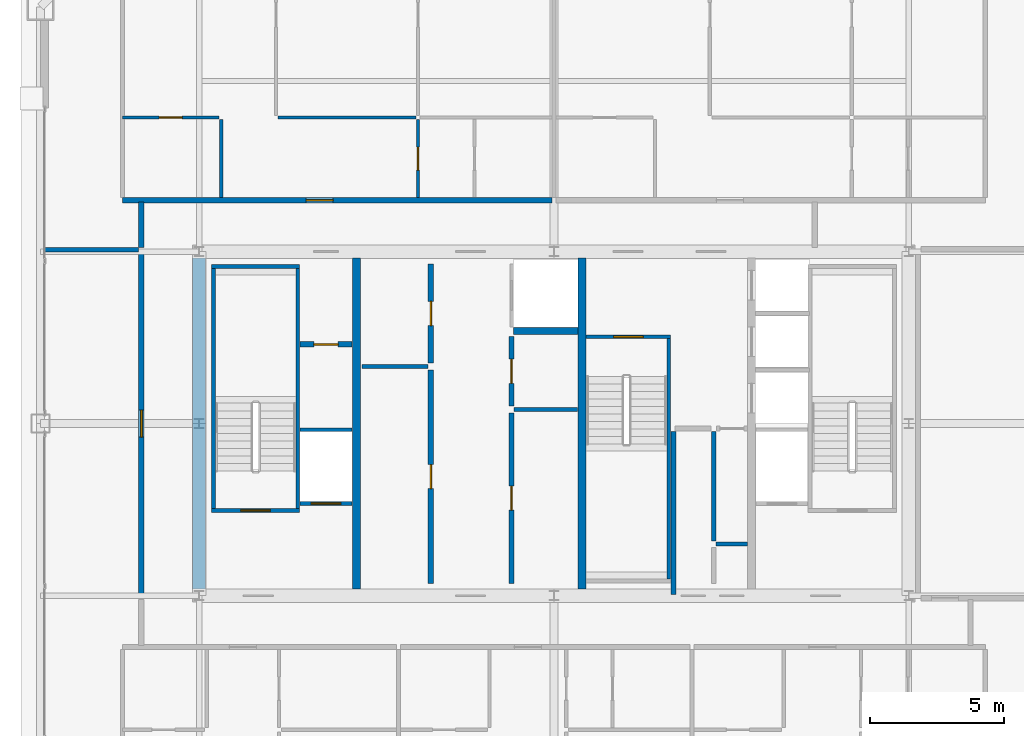
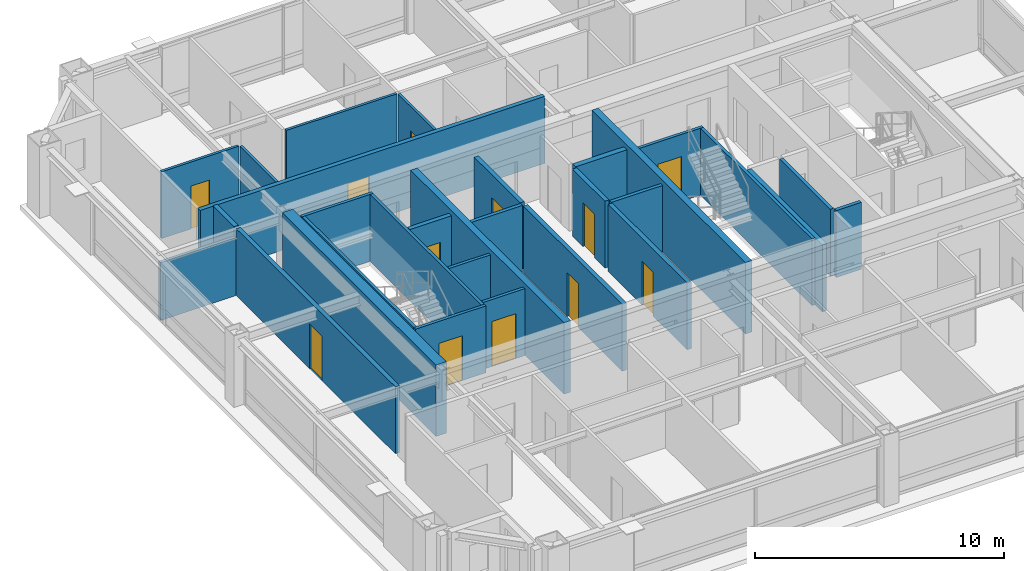
# One storey, part 31 of 35: 30 walls, 12 doors, 12 openings.
"""IFC4 building model written with IfcOpenShell, lengths in metres."""

import ifcopenshell
import ifcopenshell.guid

model = None  # the IFC model being written
_history = None  # IfcOwnerHistory: only IFC2X3 demands one
_inside = {}  # id of a spatial element -> (the spatial element, [elements in it])
_under = {}  # id of a project, library or spatial element -> (it, [spatial elements below it])
_declared = {}  # id of a project -> (the project, [libraries it declares])
_typed = {}  # id of a type object -> (the type object, [elements of that type])
_made_of = {}  # id of a material, layer set ... -> (it, [elements and type objects made of it])


def new_model(schema):
    """Start an empty IFC model of exactly this schema.

    Asked for "IFC4X3", IfcOpenShell would pick the latest addendum, in which some entities
    have other attributes; the version numbers below select the first issue.
    IFC2X3 requires an IfcOwnerHistory on every rooted entity: one is made here for all.
    """
    global model, _history
    if schema == "IFC4X3":
        model = ifcopenshell.file(schema_version=(4, 3, 0, 0))
    else:
        model = ifcopenshell.file(schema=schema)
    _inside.clear()
    _under.clear()
    _declared.clear()
    _typed.clear()
    _made_of.clear()
    _history = None
    if model.schema == "IFC2X3":
        org = make("IfcOrganization", Name="unknown")
        user = make(
            "IfcPersonAndOrganization",
            ThePerson=make("IfcPerson", FamilyName="unknown"),
            TheOrganization=org,
        )
        app = make(
            "IfcApplication",
            ApplicationDeveloper=org,
            Version="unknown",
            ApplicationFullName="unknown",
            ApplicationIdentifier="unknown",
        )
        _history = make(
            "IfcOwnerHistory",
            OwningUser=user,
            OwningApplication=app,
            ChangeAction="ADDED",
            CreationDate=0,
        )
    return model


def make(cls, **values):
    """One entity of the class cls with the attributes given. An attribute that is None is left unset."""
    return model.create_entity(
        cls, **{name: value for name, value in values.items() if value is not None}
    )


def rooted(cls, **values):
    """An entity with a GlobalId (a new one), such as an element, a storey or a relation."""
    return make(cls, GlobalId=ifcopenshell.guid.new(), OwnerHistory=_history, **values)


def si_unit(unit_type, name, prefix=None):
    """IfcSIUnit, for example si_unit("LENGTHUNIT", "METRE", prefix="MILLI")."""
    return make("IfcSIUnit", UnitType=unit_type, Prefix=prefix, Name=name)


def assignment(units):
    """IfcUnitAssignment: the units of a project."""
    return None if units is None else make("IfcUnitAssignment", Units=units)


def point(xyz):
    """IfcCartesianPoint."""
    return None if xyz is None else make("IfcCartesianPoint", Coordinates=xyz)


def direction(xyz):
    """IfcDirection."""
    return None if xyz is None else make("IfcDirection", DirectionRatios=xyz)


def frame(location, z_axis=None, x_axis=None):
    """IfcAxis2Placement3D, a coordinate frame: its origin and axes. An axis left out is left unset."""
    return make(
        "IfcAxis2Placement3D",
        Location=point(location),
        Axis=direction(z_axis),
        RefDirection=direction(x_axis),
    )


def frame_2d(location, x_axis=None):
    """IfcAxis2Placement2D, a coordinate frame in the plane: its origin and x axis."""
    return make(
        "IfcAxis2Placement2D", Location=point(location), RefDirection=direction(x_axis)
    )


def origin():
    """The frame at (0, 0, 0) with its axes left unset."""
    return frame((0.0, 0.0, 0.0))


def place(relative_to, where):
    """IfcLocalPlacement: puts the frame where relative to a parent placement (None: the world)."""
    return make(
        "IfcLocalPlacement", PlacementRelTo=relative_to, RelativePlacement=where
    )


def context(
    kind, dimensions, precision=None, world=None, true_north=None, identifier=None
):
    """IfcGeometricRepresentationContext, for example the 3D "Model" context."""
    return make(
        "IfcGeometricRepresentationContext",
        ContextIdentifier=identifier,
        ContextType=kind,
        CoordinateSpaceDimension=dimensions,
        Precision=precision,
        WorldCoordinateSystem=world,
        TrueNorth=true_north,
    )


def subcontext(parent, identifier, kind, view, scale=None):
    """IfcGeometricRepresentationSubContext, for example "Body" below "Model"."""
    return make(
        "IfcGeometricRepresentationSubContext",
        ContextIdentifier=identifier,
        ContextType=kind,
        ParentContext=parent,
        TargetScale=scale,
        TargetView=view,
    )


def project(units=None, contexts=None):
    """IfcProject with its units and contexts."""
    return rooted(
        "IfcProject",
        Name="project",
        RepresentationContexts=contexts,
        UnitsInContext=assignment(units),
    )


def spatial(cls, under=None, at=None, **own):
    """A site, building, storey or space (cls), placed at a placement, below another one or the project."""
    s = rooted(cls, ObjectPlacement=at, **own)
    if under is not None:
        _under.setdefault(under.id(), (under, []))[1].append(s)
    return s


def profile(cls, at=None, kind="AREA", **sizes):
    """A parametric profile (cls). Its sizes go by their IFC names, for example OverallWidth=200.0."""
    return make(cls, ProfileType=kind, Position=at, **sizes)


def rectangle(**sizes):
    """IfcRectangleProfileDef."""
    return profile("IfcRectangleProfileDef", **sizes)


def extrude(swept, where, along, depth):
    """IfcExtrudedAreaSolid: the profile swept, set in the frame where, extruded along a direction by depth."""
    return make(
        "IfcExtrudedAreaSolid",
        SweptArea=swept,
        Position=where,
        ExtrudedDirection=direction(along),
        Depth=depth,
    )


def shape(context_of_items, identifier, shape_type, items):
    """IfcShapeRepresentation: the items that make up one representation, for example the "Body"."""
    return make(
        "IfcShapeRepresentation",
        ContextOfItems=context_of_items,
        RepresentationIdentifier=identifier,
        RepresentationType=shape_type,
        Items=items,
    )


def source(mapping_origin, context_of_items, identifier, shape_type, items):
    """IfcRepresentationMap: a shape defined once, which mapped items show again and again."""
    return make(
        "IfcRepresentationMap",
        MappingOrigin=mapping_origin,
        MappedRepresentation=shape(context_of_items, identifier, shape_type, items),
    )


def transform(
    local_origin,
    x_axis=None,
    y_axis=None,
    z_axis=None,
    scale=None,
    scale2=None,
    scale3=None,
    uniform=True,
):
    """IfcCartesianTransformationOperator3D, or its non-uniform kind. x_axis, y_axis, z_axis: its Axis1, 2, 3."""
    if uniform:
        return make(
            "IfcCartesianTransformationOperator3D",
            Axis1=direction(x_axis),
            Axis2=direction(y_axis),
            LocalOrigin=point(local_origin),
            Scale=scale,
            Axis3=direction(z_axis),
        )
    return make(
        "IfcCartesianTransformationOperator3DnonUniform",
        Axis1=direction(x_axis),
        Axis2=direction(y_axis),
        LocalOrigin=point(local_origin),
        Scale=scale,
        Axis3=direction(z_axis),
        Scale2=scale2,
        Scale3=scale3,
    )


def mapped(mapping_source, mapping_target):
    """IfcMappedItem: shows the shape of a source again, moved by a transform."""
    return make(
        "IfcMappedItem", MappingSource=mapping_source, MappingTarget=mapping_target
    )


def material(Name=None, Category=None):
    """IfcMaterial."""
    return make("IfcMaterial", Name=Name, Category=Category)


def layer(
    of_material, thickness, ventilated=None, Name=None, Category=None, Priority=None
):
    """IfcMaterialLayer: one layer of a wall or slab, of a material (None: an air gap)."""
    return make(
        "IfcMaterialLayer",
        Material=of_material,
        LayerThickness=thickness,
        IsVentilated=ventilated,
        Name=Name,
        Category=Category,
        Priority=Priority,
    )


def layer_set(layers, Name=None):
    """IfcMaterialLayerSet."""
    return make("IfcMaterialLayerSet", MaterialLayers=layers, LayerSetName=Name)


def made_of(thing, what):
    """Note that an element or type object is made of a material, layer set ...; save() writes the relation."""
    if what is not None:
        _made_of.setdefault(what.id(), (what, []))[1].append(thing)
    return thing


def type_object(cls, material=None, **own):
    """A type object (cls), such as IfcWallType, which elements share."""
    return made_of(rooted(cls, **own), material)


def element(
    cls,
    number,
    at=None,
    inside=None,
    cuts=None,
    type_object=None,
    material=None,
    context=None,
    identifier="Body",
    shape_type=None,
    held_by="IfcProductDefinitionShape",
    body=None,
    shapes=None,
    **own,
):
    """One element of the class cls, such as IfcWall. Its Tag is "e" and its number.

    at: its placement. inside: the storey or other place that contains it. cuts: it is an
    opening in that element (IfcRelVoidsElement). A single representation is given by context,
    identifier, shape_type and body (its items); several are given by shapes. held_by: the class
    of the entity that holds the representations. save() writes the other relations.
    """
    e = rooted(cls, Tag="e%d" % number, ObjectPlacement=at, **own)
    if body is not None:
        shapes = [shape(context, identifier, shape_type, body)]
    if shapes is not None:
        e.Representation = make(held_by, Representations=shapes)
    if inside is not None:
        _inside.setdefault(inside.id(), (inside, []))[1].append(e)
    if cuts is not None:
        rooted(
            "IfcRelVoidsElement", RelatingBuildingElement=cuts, RelatedOpeningElement=e
        )
    if type_object is not None:
        _typed.setdefault(type_object.id(), (type_object, []))[1].append(e)
    return made_of(e, material)


def fill(opening, filler):
    """IfcRelFillsElement: the door or window that sits in an opening."""
    return rooted(
        "IfcRelFillsElement",
        RelatingOpeningElement=opening,
        RelatedBuildingElement=filler,
    )


def aggregate(whole, parts):
    """IfcRelAggregates: a whole, such as a stair, and the parts it consists of."""
    return rooted("IfcRelAggregates", RelatingObject=whole, RelatedObjects=parts)


def save(model, path):
    """Write the relations noted so far, then the file.

    IfcRelAggregates (storeys below a building ...), IfcRelContainedInSpatialStructure (elements
    in a storey), IfcRelDefinesByType, IfcRelAssociatesMaterial and IfcRelDeclares: one each for
    every whole, place, type object, material and project.
    """
    for whole, parts in _under.values():
        aggregate(whole, parts)
    for where, things in _inside.values():
        rooted(
            "IfcRelContainedInSpatialStructure",
            RelatedElements=things,
            RelatingStructure=where,
        )
    for kind, things in _typed.values():
        rooted("IfcRelDefinesByType", RelatedObjects=things, RelatingType=kind)
    for what, things in _made_of.values():
        rooted("IfcRelAssociatesMaterial", RelatedObjects=things, RelatingMaterial=what)
    for by, libraries in _declared.values():
        rooted("IfcRelDeclares", RelatingContext=by, RelatedDefinitions=libraries)
    model.write(path)


model = new_model("IFC4")

# Units and contexts
model_context = context("Model", 3, precision=1e-05, world=origin(), true_north=direction((0.0, 1.0)))
body_context = subcontext(model_context, "Body", "Model", "MODEL_VIEW")
ifc_project = project(units=[si_unit("LENGTHUNIT", "METRE"), si_unit("AREAUNIT", "SQUARE_METRE"), si_unit("VOLUMEUNIT", "CUBIC_METRE"), si_unit("PLANEANGLEUNIT", "RADIAN"), si_unit("MASSUNIT", "GRAM", prefix="KILO"), si_unit("THERMODYNAMICTEMPERATUREUNIT", "KELVIN"), si_unit("POWERUNIT", "WATT")], contexts=[model_context])

# Site, building, storey
site_placement = place(None, origin())
site = spatial("IfcSite", under=ifc_project, at=site_placement, CompositionType="ELEMENT")
building_placement = place(site_placement, origin())
building = spatial("IfcBuilding", under=site, at=building_placement, Name="Yuzanri Waterfront Tower", CompositionType="ELEMENT")
storey_placement = place(building_placement, frame((0.0, 0.0, 318.199951171875)))
storey = spatial("IfcBuildingStorey", under=building, at=storey_placement, Name="L85", CompositionType="ELEMENT", Elevation=318.199951171875)

# Wall, opening, door
ifc_material_1 = material(Name="Moisture-Resistant Gypsum Stud Wall", Category="gypsum")
ifc_layer_1 = layer(ifc_material_1, 0.1201171875)
ifc_layer_set_1 = layer_set([ifc_layer_1], Name="Moisture-Resistant Gypsum Stud Wall")
wall_type_1 = type_object("IfcWallType", Name="Bathroom and Kitchen Wet Partition 120", PredefinedType="PARTITIONING", material=ifc_layer_set_1)
wall_1_placement = place(storey_placement, frame((20.93994140625, 37.18994140625, 0.0), z_axis=(0.0, 0.0, 1.0), x_axis=(1.0, 0.0, 0.0)))
wall_1 = element("IfcWall", 1, at=wall_1_placement, inside=storey, type_object=wall_type_1, Name="L85 Partition UW-L85-HN1-SUB-1-N", PredefinedType="PARTITIONING", context=body_context, shape_type="SweptSolid", body=[
    extrude(rectangle(XDim=3.60009765625, YDim=0.1201171875, at=frame_2d((1.800048828125, 0.0))), origin(), (0.0, 0.0, 1.0), 3.280029296875),
])
opening_1_placement = place(wall_1_placement, frame((1.375, 0.0, 0.0)))
opening_1 = element("IfcOpeningElement", 2, at=opening_1_placement, cuts=wall_1, Name="Opening ID-0850", PredefinedType="OPENING", context=body_context, shape_type="SweptSolid", body=[
    extrude(rectangle(XDim=0.85009765625, YDim=2.10009765625, at=frame_2d((0.425048828125, 1.050048828125))), frame((0.0, 0.074951171875, 0.0), z_axis=(0.0, -1.0, 0.0), x_axis=(1.0, 0.0, 0.0)), (0.0, 0.0, 1.0), 0.14990234375),
])
ifc_material_2 = material(Name="Moisture-Resistant Lacquered Timber", Category="wood")
door_type_1 = type_object("IfcDoorType", Name="En-Suite Bathroom and Kitchen Swing Door 850x2100", OperationType="NOTDEFINED", PredefinedType="DOOR", material=ifc_material_2)
shared_shape_1 = source(origin(), body_context, "Body", "SweptSolid", [
    extrude(rectangle(XDim=0.85009765625, YDim=2.10009765625, at=frame_2d((0.425048828125, 1.050048828125))), frame((0.0, 0.02490234375, 0.0), z_axis=(0.0, -1.0, 0.0), x_axis=(1.0, 0.0, 0.0)), (0.0, 0.0, 1.0), 0.050048828125),
])
door_1_placement = place(opening_1_placement, origin())
door_1 = element("IfcDoor", 3, at=door_1_placement, inside=storey, type_object=door_type_1, Name="L85 Suite Interior Room Door", OperationType="SINGLE_SWING_LEFT", OverallHeight=2.10009765625, OverallWidth=0.85009765625, PredefinedType="DOOR", context=body_context, shape_type="MappedRepresentation", body=[
    mapped(shared_shape_1, transform((0.0, 0.0, 0.0), scale=1.0)),
])
fill(opening_1, door_1)

wall_2_placement = place(storey_placement, frame((31.94189453125, 34.2099609375, 0.0), z_axis=(0.0, 0.0, 1.0), x_axis=(0.0, 1.0, 0.0)))
wall_2 = element("IfcWall", 4, at=wall_2_placement, inside=storey, type_object=wall_type_1, Name="L85 Partition UW-L85-HN1-SUB-4-W", PredefinedType="PARTITIONING", context=body_context, shape_type="SweptSolid", body=[
    extrude(rectangle(XDim=2.900146484375, YDim=0.1201171875, at=frame_2d((1.4501953125, 0.0))), origin(), (0.0, 0.0, 1.0), 3.280029296875),
])
opening_2_placement = place(wall_2_placement, frame((1.02490234375, 0.0, 0.0)))
opening_2 = element("IfcOpeningElement", 5, at=opening_2_placement, cuts=wall_2, Name="Opening ID-0850", PredefinedType="OPENING", context=body_context, shape_type="SweptSolid", body=[
    extrude(rectangle(XDim=0.85009765625, YDim=2.10009765625, at=frame_2d((0.425048828125, 1.050048828125))), frame((0.0, 0.074951171875, 0.0), z_axis=(0.0, -1.0, 0.0), x_axis=(1.0, 0.0, 0.0)), (0.0, 0.0, 1.0), 0.14990234375),
])
door_2_placement = place(opening_2_placement, origin())
door_2 = element("IfcDoor", 6, at=door_2_placement, inside=storey, type_object=door_type_1, Name="L85 Suite Interior Room Door", OperationType="SINGLE_SWING_RIGHT", OverallHeight=2.10009765625, OverallWidth=0.85009765625, PredefinedType="DOOR", context=body_context, shape_type="MappedRepresentation", body=[
    mapped(shared_shape_1, transform((0.0, 0.0, 0.0), scale=1.0)),
])
fill(opening_2, door_2)

ifc_material_3 = material(Name="Concrete C40", Category="concrete")
ifc_layer_2 = layer(ifc_material_3, 0.139892578125)
ifc_layer_set_2 = layer_set([ifc_layer_2], Name="Concrete C40")
wall_type_2 = type_object("IfcWallType", Name="Core Stair Liner and Hoistway Shaft Wall 140", PredefinedType="SOLIDWALL", material=ifc_layer_set_2)
wall_3_placement = place(storey_placement, frame((27.56005859375, 22.830078125, 0.0), z_axis=(0.0, 0.0, 1.0), x_axis=(1.0, 0.0, 0.0)))
wall_3 = element("IfcWall", 7, at=wall_3_placement, inside=storey, type_object=wall_type_2, Name="L85 Lift FL-01 Front Shaft Wall", PredefinedType="SOLIDWALL", context=body_context, shape_type="SweptSolid", body=[
    extrude(rectangle(XDim=1.919921875, YDim=0.139892578125, at=frame_2d((0.9599609375, 0.0))), origin(), (0.0, 0.0, 1.0), 3.280029296875),
])
opening_3_placement = place(wall_3_placement, frame((0.409912109375, 0.0, 0.0)))
opening_3 = element("IfcOpeningElement", 8, at=opening_3_placement, cuts=wall_3, Name="Opening LD-FL-01", PredefinedType="OPENING", context=body_context, shape_type="SweptSolid", body=[
    extrude(rectangle(XDim=1.10009765625, YDim=2.199951171875, at=frame_2d((0.550048828125, 1.10009765625))), frame((0.0, 0.0849609375, 0.0), z_axis=(0.0, -1.0, 0.0), x_axis=(1.0, 0.0, 0.0)), (0.0, 0.0, 1.0), 0.169677734375),
])
ifc_material_4 = material(Name="Brushed Bronze and Stainless Steel Cab", Category="steel")
door_type_2 = type_object("IfcDoorType", Name="Center-Parting Bronze Lift Landing Sliding Door 1100x2200", OperationType="NOTDEFINED", PredefinedType="DOOR", material=ifc_material_4)
shared_shape_2 = source(origin(), body_context, "Body", "SweptSolid", [
    extrude(rectangle(XDim=1.10009765625, YDim=2.199951171875, at=frame_2d((0.550048828125, 1.10009765625))), frame((0.0, 0.02490234375, 0.0), z_axis=(0.0, -1.0, 0.0), x_axis=(1.0, 0.0, 0.0)), (0.0, 0.0, 1.0), 0.050048828125),
])
door_3_placement = place(opening_3_placement, origin())
door_3 = element("IfcDoor", 9, at=door_3_placement, inside=storey, type_object=door_type_2, Name="L85 FL-01 Lift Landing Sliding Door", OperationType="SLIDING_TO_LEFT", OverallHeight=2.199951171875, OverallWidth=1.10009765625, PredefinedType="DOOR", context=body_context, shape_type="MappedRepresentation", body=[
    mapped(shared_shape_2, transform((0.0, 0.0, 0.0), scale=1.0)),
])
fill(opening_3, door_3)

wall_4_placement = place(storey_placement, frame((24.260009765625, 22.570068359375, 0.0), z_axis=(0.0, 0.0, 1.0), x_axis=(1.0, 0.0, 0.0)))
wall_4 = element("IfcWall", 10, at=wall_4_placement, inside=storey, type_object=wall_type_2, Name="L85 Shaft Wall STW-L85-ST-01-S", PredefinedType="SOLIDWALL", context=body_context, shape_type="SweptSolid", body=[
    extrude(rectangle(XDim=3.280029296875, YDim=0.139892578125, at=frame_2d((1.64013671875, 0.0))), origin(), (0.0, 0.0, 1.0), 3.280029296875),
])
opening_4_placement = place(wall_4_placement, frame((1.090087890625, 0.0, 0.0)))
opening_4 = element("IfcOpeningElement", 11, at=opening_4_placement, cuts=wall_4, Name="Opening FD-1100", PredefinedType="OPENING", context=body_context, shape_type="SweptSolid", body=[
    extrude(rectangle(XDim=1.10009765625, YDim=2.199951171875, at=frame_2d((0.550048828125, 1.10009765625))), frame((0.0, 0.0849609375, 0.0), z_axis=(0.0, -1.0, 0.0), x_axis=(1.0, 0.0, 0.0)), (0.0, 0.0, 1.0), 0.169677734375),
])
ifc_material_5 = material(Name="Painted Galvanized Fire Steel", Category="steel")
door_type_3 = type_object("IfcDoorType", Name="Smoke-Proof Stair and Lobby Fire Door 1100x2200", OperationType="NOTDEFINED", PredefinedType="DOOR", material=ifc_material_5)
shared_shape_3 = source(origin(), body_context, "Body", "SweptSolid", [
    extrude(rectangle(XDim=1.10009765625, YDim=2.199951171875, at=frame_2d((0.550048828125, 1.10009765625))), frame((0.0, 0.02490234375, 0.0), z_axis=(0.0, -1.0, 0.0), x_axis=(1.0, 0.0, 0.0)), (0.0, 0.0, 1.0), 0.050048828125),
])
door_4_placement = place(opening_4_placement, origin())
door_4 = element("IfcDoor", 12, at=door_4_placement, inside=storey, type_object=door_type_3, Name="L85 Stair ST-01 Fire Door", OperationType="SINGLE_SWING_RIGHT", OverallHeight=2.199951171875, OverallWidth=1.10009765625, PredefinedType="DOOR", context=body_context, shape_type="MappedRepresentation", body=[
    mapped(shared_shape_3, transform((0.0, 0.0, 0.0), scale=1.0)),
])
fill(opening_4, door_4)

wall_5_placement = place(storey_placement, frame((38.199951171875, 29.030029296875, 0.0), z_axis=(0.0, 0.0, 1.0), x_axis=(1.0, 0.0, 0.0)))
wall_5 = element("IfcWall", 13, at=wall_5_placement, inside=storey, type_object=wall_type_2, Name="L85 Shaft Wall STW-L85-ST-03-N", PredefinedType="SOLIDWALL", context=body_context, shape_type="SweptSolid", body=[
    extrude(rectangle(XDim=3.14013671875, YDim=0.139892578125, at=frame_2d((1.570068359375, 0.0))), origin(), (0.0, 0.0, 1.0), 3.280029296875),
])
opening_5_placement = place(wall_5_placement, frame((1.02001953125, 0.0, 0.0)))
opening_5 = element("IfcOpeningElement", 14, at=opening_5_placement, cuts=wall_5, Name="Opening FD-1100", PredefinedType="OPENING", context=body_context, shape_type="SweptSolid", body=[
    extrude(rectangle(XDim=1.10009765625, YDim=2.199951171875, at=frame_2d((0.550048828125, 1.10009765625))), frame((0.0, 0.0849609375, 0.0), z_axis=(0.0, -1.0, 0.0), x_axis=(1.0, 0.0, 0.0)), (0.0, 0.0, 1.0), 0.169677734375),
])
door_5_placement = place(opening_5_placement, origin())
door_5 = element("IfcDoor", 15, at=door_5_placement, inside=storey, type_object=door_type_3, Name="L85 Stair ST-03 Fire Door", OperationType="SINGLE_SWING_RIGHT", OverallHeight=2.199951171875, OverallWidth=1.10009765625, PredefinedType="DOOR", context=body_context, shape_type="MappedRepresentation", body=[
    mapped(shared_shape_3, transform((0.0, 0.0, 0.0), scale=1.0)),
])
fill(opening_5, door_5)

ifc_material_6 = material(Name="Autoclaved Aerated Concrete Blockwork", Category="masonry")
ifc_layer_3 = layer(ifc_material_6, 0.199951171875)
ifc_layer_set_3 = layer_set([ifc_layer_3], Name="Autoclaved Aerated Concrete Blockwork")
wall_type_3 = type_object("IfcWallType", Name="Corridor and Unit Party Fire Wall 200", PredefinedType="PARTITIONING", material=ifc_layer_set_3)
wall_6_placement = place(storey_placement, frame((27.56005859375, 28.75, 0.0), z_axis=(0.0, 0.0, 1.0), x_axis=(1.0, 0.0, 0.0)))
wall_6 = element("IfcWall", 16, at=wall_6_placement, inside=storey, type_object=wall_type_3, Name="L85 Partition CRW-L85-ERTR", PredefinedType="PARTITIONING", context=body_context, shape_type="SweptSolid", body=[
    extrude(rectangle(XDim=1.919921875, YDim=0.199951171875, at=frame_2d((0.9599609375, 0.0))), origin(), (0.0, 0.0, 1.0), 3.280029296875),
])
opening_6_placement = place(wall_6_placement, frame((0.510009765625, 0.0, 0.0)))
opening_6 = element("IfcOpeningElement", 17, at=opening_6_placement, cuts=wall_6, Name="Opening FD-0900", PredefinedType="OPENING", context=body_context, shape_type="SweptSolid", body=[
    extrude(rectangle(XDim=0.89990234375, YDim=2.14990234375, at=frame_2d((0.449951171875, 1.074951171875))), frame((0.0, 0.11474609375, 0.0), z_axis=(0.0, -1.0, 0.0), x_axis=(1.0, 0.0, 0.0)), (0.0, 0.0, 1.0), 0.229736328125),
])
ifc_material_7 = material(Name="Painted Galvanized Fire Steel", Category="steel")
door_type_4 = type_object("IfcDoorType", Name="Riser and Service Room Fire Door 900x2150", OperationType="NOTDEFINED", PredefinedType="DOOR", material=ifc_material_7)
shared_shape_4 = source(origin(), body_context, "Body", "SweptSolid", [
    extrude(rectangle(XDim=0.89990234375, YDim=2.14990234375, at=frame_2d((0.449951171875, 1.074951171875))), frame((0.0, 0.02490234375, 0.0), z_axis=(0.0, -1.0, 0.0), x_axis=(1.0, 0.0, 0.0)), (0.0, 0.0, 1.0), 0.050048828125),
])
door_6_placement = place(opening_6_placement, origin())
door_6 = element("IfcDoor", 18, at=door_6_placement, inside=storey, type_object=door_type_4, Name="L85 Electrical Riser Door", OperationType="SINGLE_SWING_RIGHT", OverallHeight=2.14990234375, OverallWidth=0.89990234375, PredefinedType="DOOR", context=body_context, shape_type="MappedRepresentation", body=[
    mapped(shared_shape_4, transform((0.0, 0.0, 0.0), scale=1.0)),
])
fill(opening_6, door_6)

wall_7_placement = place(storey_placement, frame((32.419921875, 19.860107421875, 0.0), z_axis=(0.0, 0.0, 1.0), x_axis=(0.0, 1.0, 0.0)))
wall_7 = element("IfcWall", 19, at=wall_7_placement, inside=storey, type_object=wall_type_3, Name="L85 Partition CRW-L85-B1R-1", PredefinedType="PARTITIONING", context=body_context, shape_type="SweptSolid", body=[
    extrude(rectangle(XDim=7.93994140625, YDim=0.199951171875, at=frame_2d((3.969970703125, 0.0))), origin(), (0.0, 0.0, 1.0), 3.280029296875),
])
opening_7_placement = place(wall_7_placement, frame((3.52001953125, 0.0, 0.0)))
opening_7 = element("IfcOpeningElement", 20, at=opening_7_placement, cuts=wall_7, Name="Opening FD-0900", PredefinedType="OPENING", context=body_context, shape_type="SweptSolid", body=[
    extrude(rectangle(XDim=0.89990234375, YDim=2.14990234375, at=frame_2d((0.449951171875, 1.074951171875))), frame((0.0, 0.11474609375, 0.0), z_axis=(0.0, -1.0, 0.0), x_axis=(1.0, 0.0, 0.0)), (0.0, 0.0, 1.0), 0.229736328125),
])
door_7_placement = place(opening_7_placement, origin())
door_7 = element("IfcDoor", 21, at=door_7_placement, inside=storey, type_object=door_type_4, Name="L85 General Store Room", OperationType="SINGLE_SWING_LEFT", OverallHeight=2.14990234375, OverallWidth=0.89990234375, PredefinedType="DOOR", context=body_context, shape_type="MappedRepresentation", body=[
    mapped(shared_shape_4, transform((0.0, 0.0, 0.0), scale=1.0)),
])
fill(opening_7, door_7)

wall_8_placement = place(storey_placement, frame((32.419921875, 28.050048828125, 0.0), z_axis=(0.0, 0.0, 1.0), x_axis=(0.0, 1.0, 0.0)))
wall_8 = element("IfcWall", 22, at=wall_8_placement, inside=storey, type_object=wall_type_3, Name="L85 Partition CRW-L85-B1R-2", PredefinedType="PARTITIONING", context=body_context, shape_type="SweptSolid", body=[
    extrude(rectangle(XDim=3.68994140625, YDim=0.199951171875, at=frame_2d((1.844970703125, 0.0))), origin(), (0.0, 0.0, 1.0), 3.280029296875),
])
opening_8_placement = place(wall_8_placement, frame((1.39501953125, 0.0, 0.0)))
opening_8 = element("IfcOpeningElement", 23, at=opening_8_placement, cuts=wall_8, Name="Opening FD-0900", PredefinedType="OPENING", context=body_context, shape_type="SweptSolid", body=[
    extrude(rectangle(XDim=0.89990234375, YDim=2.14990234375, at=frame_2d((0.449951171875, 1.074951171875))), frame((0.0, 0.11474609375, 0.0), z_axis=(0.0, -1.0, 0.0), x_axis=(1.0, 0.0, 0.0)), (0.0, 0.0, 1.0), 0.229736328125),
])
door_8_placement = place(opening_8_placement, origin())
door_8 = element("IfcDoor", 24, at=door_8_placement, inside=storey, type_object=door_type_4, Name="L85 Water Riser Shaft", OperationType="SINGLE_SWING_RIGHT", OverallHeight=2.14990234375, OverallWidth=0.89990234375, PredefinedType="DOOR", context=body_context, shape_type="MappedRepresentation", body=[
    mapped(shared_shape_4, transform((0.0, 0.0, 0.0), scale=1.0)),
])
fill(opening_8, door_8)

wall_9_placement = place(storey_placement, frame((35.419921875, 19.860107421875, 0.0), z_axis=(0.0, 0.0, 1.0), x_axis=(0.0, 1.0, 0.0)))
wall_9 = element("IfcWall", 25, at=wall_9_placement, inside=storey, type_object=wall_type_3, Name="L85 Partition CRW-L85-B2R-1", PredefinedType="PARTITIONING", context=body_context, shape_type="SweptSolid", body=[
    extrude(rectangle(XDim=6.33984375, YDim=0.199951171875, at=frame_2d((3.169921875, 0.0))), origin(), (0.0, 0.0, 1.0), 3.280029296875),
])
opening_9_placement = place(wall_9_placement, frame((2.719970703125, 0.0, 0.0)))
opening_9 = element("IfcOpeningElement", 26, at=opening_9_placement, cuts=wall_9, Name="Opening FD-0900", PredefinedType="OPENING", context=body_context, shape_type="SweptSolid", body=[
    extrude(rectangle(XDim=0.89990234375, YDim=2.14990234375, at=frame_2d((0.449951171875, 1.074951171875))), frame((0.0, 0.11474609375, 0.0), z_axis=(0.0, -1.0, 0.0), x_axis=(1.0, 0.0, 0.0)), (0.0, 0.0, 1.0), 0.229736328125),
])
door_9_placement = place(opening_9_placement, origin())
door_9 = element("IfcDoor", 27, at=door_9_placement, inside=storey, type_object=door_type_4, Name="L85 Upper Service Store Room", OperationType="SINGLE_SWING_LEFT", OverallHeight=2.14990234375, OverallWidth=0.89990234375, PredefinedType="DOOR", context=body_context, shape_type="MappedRepresentation", body=[
    mapped(shared_shape_4, transform((0.0, 0.0, 0.0), scale=1.0)),
])
fill(opening_9, door_9)

wall_10_placement = place(storey_placement, frame((35.419921875, 26.449951171875, 0.0), z_axis=(0.0, 0.0, 1.0), x_axis=(0.0, 1.0, 0.0)))
wall_10 = element("IfcWall", 28, at=wall_10_placement, inside=storey, type_object=wall_type_3, Name="L85 Partition CRW-L85-B2R-2", PredefinedType="PARTITIONING", context=body_context, shape_type="SweptSolid", body=[
    extrude(rectangle(XDim=2.60009765625, YDim=0.199951171875, at=frame_2d((1.300048828125, 0.0))), origin(), (0.0, 0.0, 1.0), 3.280029296875),
])
opening_10_placement = place(wall_10_placement, frame((0.85009765625, 0.0, 0.0)))
opening_10 = element("IfcOpeningElement", 29, at=opening_10_placement, cuts=wall_10, Name="Opening FD-0900", PredefinedType="OPENING", context=body_context, shape_type="SweptSolid", body=[
    extrude(rectangle(XDim=0.89990234375, YDim=2.14990234375, at=frame_2d((0.449951171875, 1.074951171875))), frame((0.0, 0.11474609375, 0.0), z_axis=(0.0, -1.0, 0.0), x_axis=(1.0, 0.0, 0.0)), (0.0, 0.0, 1.0), 0.229736328125),
])
door_10_placement = place(opening_10_placement, origin())
door_10 = element("IfcDoor", 30, at=door_10_placement, inside=storey, type_object=door_type_4, Name="L85 Meter and Valve Store Room", OperationType="SINGLE_SWING_RIGHT", OverallHeight=2.14990234375, OverallWidth=0.89990234375, PredefinedType="DOOR", context=body_context, shape_type="MappedRepresentation", body=[
    mapped(shared_shape_4, transform((0.0, 0.0, 0.0), scale=1.0)),
])
fill(opening_10, door_10)

wall_11_placement = place(storey_placement, frame((20.93994140625, 34.110107421875, 0.0), z_axis=(0.0, 0.0, 1.0), x_axis=(1.0, 0.0, 0.0)))
wall_11 = element("IfcWall", 31, at=wall_11_placement, inside=storey, type_object=wall_type_3, Name="L85 Partition UW-L85-HN1-CS", PredefinedType="PARTITIONING", context=body_context, shape_type="SweptSolid", body=[
    extrude(rectangle(XDim=15.97998046875, YDim=0.199951171875, at=frame_2d((7.989990234375, 0.0))), origin(), (0.0, 0.0, 1.0), 3.280029296875),
])
opening_11_placement = place(wall_11_placement, frame((6.841064453125, 0.0, 0.0)))
opening_11 = element("IfcOpeningElement", 32, at=opening_11_placement, cuts=wall_11, Name="Opening FD-1000", PredefinedType="OPENING", context=body_context, shape_type="SweptSolid", body=[
    extrude(rectangle(XDim=1.0, YDim=2.199951171875, at=frame_2d((0.5, 1.10009765625))), frame((0.0, 0.11474609375, 0.0), z_axis=(0.0, -1.0, 0.0), x_axis=(1.0, 0.0, 0.0)), (0.0, 0.0, 1.0), 0.229736328125),
])
ifc_material_8 = material(Name="Engineered Oak Fire-Rated Timber", Category="wood")
door_type_5 = type_object("IfcDoorType", Name="Guestroom and Apartment Entrance Fire Door 1000x2200", OperationType="NOTDEFINED", PredefinedType="DOOR", material=ifc_material_8)
shared_shape_5 = source(origin(), body_context, "Body", "SweptSolid", [
    extrude(rectangle(XDim=1.0, YDim=2.199951171875, at=frame_2d((0.5, 1.10009765625))), frame((0.0, 0.02490234375, 0.0), z_axis=(0.0, -1.0, 0.0), x_axis=(1.0, 0.0, 0.0)), (0.0, 0.0, 1.0), 0.050048828125),
])
door_11_placement = place(opening_11_placement, origin())
door_11 = element("IfcDoor", 33, at=door_11_placement, inside=storey, type_object=door_type_5, Name="L85 Apartment Living Room Entrance Door", OperationType="SINGLE_SWING_RIGHT", OverallHeight=2.199951171875, OverallWidth=1.0, PredefinedType="DOOR", context=body_context, shape_type="MappedRepresentation", body=[
    mapped(shared_shape_5, transform((0.0, 0.0, 0.0), scale=1.0)),
])
fill(opening_11, door_11)

wall_12_placement = place(storey_placement, frame((21.64990234375, 19.409912109375, 0.0), z_axis=(0.0, 0.0, 1.0), x_axis=(0.0, 1.0, 0.0)))
wall_12 = element("IfcWall", 34, at=wall_12_placement, inside=storey, type_object=wall_type_3, Name="L85 Partition UW-L85-047-CW", PredefinedType="PARTITIONING", context=body_context, shape_type="SweptSolid", body=[
    extrude(rectangle(XDim=12.780029296875, YDim=0.199951171875, at=frame_2d((6.39013671875, 0.0))), origin(), (0.0, 0.0, 1.0), 3.280029296875),
])
opening_12_placement = place(wall_12_placement, frame((5.889892578125, 0.0, 0.0)))
opening_12 = element("IfcOpeningElement", 35, at=opening_12_placement, cuts=wall_12, Name="Opening FD-1000", PredefinedType="OPENING", context=body_context, shape_type="SweptSolid", body=[
    extrude(rectangle(XDim=1.0, YDim=2.199951171875, at=frame_2d((0.5, 1.10009765625))), frame((0.0, 0.11474609375, 0.0), z_axis=(0.0, -1.0, 0.0), x_axis=(1.0, 0.0, 0.0)), (0.0, 0.0, 1.0), 0.229736328125),
])
door_12_placement = place(opening_12_placement, origin())
door_12 = element("IfcDoor", 36, at=door_12_placement, inside=storey, type_object=door_type_5, Name="L85 High-Rise W Horizon Club Room Entrance Door", OperationType="SINGLE_SWING_RIGHT", OverallHeight=2.199951171875, OverallWidth=1.0, PredefinedType="DOOR", context=body_context, shape_type="MappedRepresentation", body=[
    mapped(shared_shape_5, transform((0.0, 0.0, 0.0), scale=1.0)),
])
fill(opening_12, door_12)

# Walls
ifc_material_9 = material(Name="Concrete C45", Category="concrete")
ifc_layer_4 = layer(ifc_material_9, 0.47998046875)
ifc_layer_set_4 = layer_set([ifc_layer_4], Name="Concrete C45")
wall_type_4 = type_object("IfcWallType", Name="Concrete C45 High-Rise Core Shear Wall 480", PredefinedType="SHEAR", material=ifc_layer_set_4)
shared_shape_6 = source(origin(), body_context, "Body", "SweptSolid", [
    extrude(rectangle(XDim=12.320068359375, YDim=0.47998046875, at=frame_2d((6.16015625, 0.0))), origin(), (0.0, 0.0, 1.0), 3.5),
])
wall_13_placement = place(storey_placement, frame((23.800048828125, 19.639892578125, 0.0), z_axis=(0.0, 0.0, 1.0), x_axis=(0.0, 1.0, 0.0)))
element("IfcWall", 37, at=wall_13_placement, inside=storey, type_object=wall_type_4, Name="L85 Core West Shear Wall", PredefinedType="SHEAR", context=body_context, shape_type="MappedRepresentation", body=[
    mapped(shared_shape_6, transform((0.0, 0.0, 0.0), scale=1.0)),
])
ifc_material_10 = material(Name="Concrete C50", Category="concrete")
ifc_layer_5 = layer(ifc_material_10, 0.300048828125)
ifc_layer_set_5 = layer_set([ifc_layer_5], Name="Concrete C50")
wall_type_5 = type_object("IfcWallType", Name="Concrete C50 Internal Core Shaft Structural Wall 300", PredefinedType="SOLIDWALL", material=ifc_layer_set_5)
shared_shape_7 = source(origin(), body_context, "Body", "SweptSolid", [
    extrude(rectangle(XDim=12.320068359375, YDim=0.300048828125, at=frame_2d((6.16015625, 0.0))), origin(), (0.0, 0.0, 1.0), 3.5),
])
for number, where, z_axis, x_axis, name in (
    (38, (29.64990234375, 19.639892578125, 0.0), (0.0, 0.0, 1.0), (0.0, 1.0, 0.0), "L85 Core Internal Structural Web Wall 1"),
    (39, (38.050048828125, 19.639892578125, 0.0), (0.0, 0.0, 1.0), (0.0, 1.0, 0.0), "L85 Core Internal Structural Web Wall 2"),
):
    element("IfcWall", number, at=place(storey_placement, frame(where, z_axis=z_axis, x_axis=x_axis)), inside=storey, type_object=wall_type_5, Name=name, PredefinedType="SOLIDWALL", context=body_context, shape_type="MappedRepresentation", body=[
        mapped(shared_shape_7, transform((0.0, 0.0, 0.0), scale=1.0)),
    ])
shared_shape_8 = source(origin(), body_context, "Body", "SweptSolid", [
    extrude(rectangle(XDim=1.919921875, YDim=0.139892578125, at=frame_2d((0.9599609375, 0.0))), origin(), (0.0, 0.0, 1.0), 3.280029296875),
])
wall_14_placement = place(storey_placement, frame((27.56005859375, 25.570068359375, 0.0), z_axis=(0.0, 0.0, 1.0), x_axis=(1.0, 0.0, 0.0)))
element("IfcWall", 40, at=wall_14_placement, inside=storey, type_object=wall_type_2, Name="L85 Lift FL-01 Back Shaft Wall", PredefinedType="SOLIDWALL", context=body_context, shape_type="MappedRepresentation", body=[
    mapped(shared_shape_8, transform((0.0, 0.0, 0.0), scale=1.0)),
])
ifc_material_11 = material(Name="Concrete C40", Category="concrete")
ifc_layer_6 = layer(ifc_material_11, 0.25)
ifc_layer_set_6 = layer_set([ifc_layer_6], Name="Concrete C40")
wall_type_6 = type_object("IfcWallType", Name="Smoke-Proof Stair and Lift Shaft Wall 250", PredefinedType="SOLIDWALL", material=ifc_layer_set_6)
shared_shape_9 = source(origin(), body_context, "Body", "SweptSolid", [
    extrude(rectangle(XDim=2.39990234375, YDim=0.25, at=frame_2d((1.199951171875, 0.0))), origin(), (0.0, 0.0, 1.0), 3.280029296875),
])
wall_15_placement = place(storey_placement, frame((35.5, 29.25, 0.0), z_axis=(0.0, 0.0, 1.0), x_axis=(1.0, 0.0, 0.0)))
element("IfcWall", 41, at=wall_15_placement, inside=storey, type_object=wall_type_6, Name="L85 Lift SL-02 South Shaft Wall", PredefinedType="SOLIDWALL", context=body_context, shape_type="MappedRepresentation", body=[
    mapped(shared_shape_9, transform((0.0, 0.0, 0.0), scale=1.0)),
])
shared_shape_10 = source(origin(), body_context, "Body", "SweptSolid", [
    extrude(rectangle(XDim=3.280029296875, YDim=0.139892578125, at=frame_2d((1.64013671875, 0.0))), origin(), (0.0, 0.0, 1.0), 3.280029296875),
])
wall_16_placement = place(storey_placement, frame((24.260009765625, 31.64990234375, 0.0), z_axis=(0.0, 0.0, 1.0), x_axis=(1.0, 0.0, 0.0)))
element("IfcWall", 42, at=wall_16_placement, inside=storey, type_object=wall_type_2, Name="L85 Stair ST-01 North Shaft Wall", PredefinedType="SOLIDWALL", context=body_context, shape_type="MappedRepresentation", body=[
    mapped(shared_shape_10, transform((0.0, 0.0, 0.0), scale=1.0)),
])
shared_shape_11 = source(origin(), body_context, "Body", "SweptSolid", [
    extrude(rectangle(XDim=8.940185546875, YDim=0.139892578125, at=frame_2d((4.47021484375, 0.0))), origin(), (0.0, 0.0, 1.0), 3.280029296875),
])
for number, where, z_axis, x_axis, name in (
    (43, (24.330078125, 22.639892578125, 0.0), (0.0, 0.0, 1.0), (0.0, 1.0, 0.0), "L85 Stair ST-01 West Shaft Wall"),
    (44, (27.469970703125, 22.639892578125, 0.0), (0.0, 0.0, 1.0), (0.0, 1.0, 0.0), "L85 Stair ST-01 East Shaft Wall"),
):
    element("IfcWall", number, at=place(storey_placement, frame(where, z_axis=z_axis, x_axis=x_axis)), inside=storey, type_object=wall_type_2, Name=name, PredefinedType="SOLIDWALL", context=body_context, shape_type="MappedRepresentation", body=[
        mapped(shared_shape_11, transform((0.0, 0.0, 0.0), scale=1.0)),
    ])
shared_shape_12 = source(origin(), body_context, "Body", "SweptSolid", [
    extrude(rectangle(XDim=8.93994140625, YDim=0.139892578125, at=frame_2d((4.469970703125, 0.0))), origin(), (0.0, 0.0, 1.0), 3.280029296875),
])
wall_17_placement = place(storey_placement, frame((41.27001953125, 20.02001953125, 0.0), z_axis=(0.0, 0.0, 1.0), x_axis=(0.0, 1.0, 0.0)))
element("IfcWall", 45, at=wall_17_placement, inside=storey, type_object=wall_type_2, Name="L85 Stair ST-03 East Shaft Wall", PredefinedType="SOLIDWALL", context=body_context, shape_type="MappedRepresentation", body=[
    mapped(shared_shape_12, transform((0.0, 0.0, 0.0), scale=1.0)),
])
ifc_material_12 = material(Name="Gypsum Fireboard Acoustic Stud Wall", Category="gypsum")
ifc_layer_7 = layer(ifc_material_12, 0.159912109375)
ifc_layer_set_7 = layer_set([ifc_layer_7], Name="Gypsum Fireboard Acoustic Stud Wall")
wall_type_7 = type_object("IfcWallType", Name="Acoustic Suite Demising Partition 160", PredefinedType="PARTITIONING", material=ifc_layer_set_7)
shared_shape_13 = source(origin(), body_context, "Body", "SweptSolid", [
    extrude(rectangle(XDim=2.469970703125, YDim=0.159912109375, at=frame_2d((1.23486328125, 0.0))), origin(), (0.0, 0.0, 1.0), 3.280029296875),
])
wall_18_placement = place(storey_placement, frame((29.85009765625, 27.929931640625, 0.0), z_axis=(0.0, 0.0, 1.0), x_axis=(1.0, 0.0, 0.0)))
element("IfcWall", 46, at=wall_18_placement, inside=storey, type_object=wall_type_7, Name="L85 Reclaimed Core Divider 2", PredefinedType="PARTITIONING", context=body_context, shape_type="MappedRepresentation", body=[
    mapped(shared_shape_13, transform((0.0, 0.0, 0.0), scale=1.0)),
])
shared_shape_14 = source(origin(), body_context, "Body", "SweptSolid", [
    extrude(rectangle(XDim=1.169921875, YDim=0.159912109375, at=frame_2d((0.5849609375, 0.0))), origin(), (0.0, 0.0, 1.0), 3.280029296875),
])
wall_19_placement = place(storey_placement, frame((43.030029296875, 21.320068359375, 0.0), z_axis=(0.0, 0.0, 1.0), x_axis=(1.0, 0.0, 0.0)))
element("IfcWall", 47, at=wall_19_placement, inside=storey, type_object=wall_type_7, Name="L85 East Wet Riser North Wall", PredefinedType="PARTITIONING", context=body_context, shape_type="MappedRepresentation", body=[
    mapped(shared_shape_14, transform((0.0, 0.0, 0.0), scale=1.0)),
])
shared_shape_15 = source(origin(), body_context, "Body", "SweptSolid", [
    extrude(rectangle(XDim=3.5, YDim=0.159912109375, at=frame_2d((1.75, 0.0))), origin(), (0.0, 0.0, 1.0), 2.824951171875),
])
wall_20_placement = place(storey_placement, frame((18.050048828125, 32.27001953125, 0.0), z_axis=(0.0, 0.0, 1.0), x_axis=(1.0, 0.0, 0.0)))
element("IfcWall", 48, at=wall_20_placement, inside=storey, type_object=wall_type_7, Name="L85-047 Wing North End Wall", PredefinedType="PARTITIONING", context=body_context, shape_type="MappedRepresentation", body=[
    mapped(shared_shape_15, transform((0.0, 0.0, 0.0), scale=1.0)),
])
shared_shape_16 = source(origin(), body_context, "Body", "SweptSolid", [
    extrude(rectangle(XDim=2.35986328125, YDim=0.159912109375, at=frame_2d((1.179931640625, 0.0))), origin(), (0.0, 0.0, 1.0), 3.280029296875),
])
wall_21_placement = place(storey_placement, frame((35.52001953125, 26.330078125, 0.0), z_axis=(0.0, 0.0, 1.0), x_axis=(1.0, 0.0, 0.0)))
element("IfcWall", 49, at=wall_21_placement, inside=storey, type_object=wall_type_7, Name="L85 Reclaimed High-Zone Divider 2", PredefinedType="PARTITIONING", context=body_context, shape_type="MappedRepresentation", body=[
    mapped(shared_shape_16, transform((0.0, 0.0, 0.0), scale=1.0)),
])
shared_shape_17 = source(origin(), body_context, "Body", "SweptSolid", [
    extrude(rectangle(XDim=6.06005859375, YDim=0.199951171875, at=frame_2d((3.030029296875, 0.0))), origin(), (0.0, 0.0, 1.0), 3.280029296875),
])
wall_22_placement = place(storey_placement, frame((41.449951171875, 19.43994140625, 0.0), z_axis=(0.0, 0.0, 1.0), x_axis=(0.0, 1.0, 0.0)))
element("IfcWall", 50, at=wall_22_placement, inside=storey, type_object=wall_type_3, Name="L85 Core BOH West Wall 1", PredefinedType="PARTITIONING", context=body_context, shape_type="MappedRepresentation", body=[
    mapped(shared_shape_17, transform((0.0, 0.0, 0.0), scale=1.0)),
])
shared_shape_18 = source(origin(), body_context, "Body", "SweptSolid", [
    extrude(rectangle(XDim=4.06005859375, YDim=0.159912109375, at=frame_2d((2.030029296875, 0.0))), origin(), (0.0, 0.0, 1.0), 3.280029296875),
])
wall_23_placement = place(storey_placement, frame((42.949951171875, 21.43994140625, 0.0), z_axis=(0.0, 0.0, 1.0), x_axis=(0.0, 1.0, 0.0)))
element("IfcWall", 51, at=wall_23_placement, inside=storey, type_object=wall_type_7, Name="L85 Core BOH Mid Wall 2", PredefinedType="PARTITIONING", context=body_context, shape_type="MappedRepresentation", body=[
    mapped(shared_shape_18, transform((0.0, 0.0, 0.0), scale=1.0)),
])
shared_shape_19 = source(origin(), body_context, "Body", "SweptSolid", [
    extrude(rectangle(XDim=1.699951171875, YDim=0.199951171875, at=frame_2d((0.85009765625, 0.0))), origin(), (0.0, 0.0, 1.0), 3.280029296875),
])
wall_24_placement = place(storey_placement, frame((21.64990234375, 32.35009765625, 0.0), z_axis=(0.0, 0.0, 1.0), x_axis=(0.0, 1.0, 0.0)))
element("IfcWall", 52, at=wall_24_placement, inside=storey, type_object=wall_type_3, Name="L85 North Foyer West End Wall", PredefinedType="PARTITIONING", context=body_context, shape_type="MappedRepresentation", body=[
    mapped(shared_shape_19, transform((0.0, 0.0, 0.0), scale=1.0)),
])
shared_shape_20 = source(origin(), body_context, "Body", "SweptSolid", [
    extrude(rectangle(XDim=2.900146484375, YDim=0.1201171875, at=frame_2d((1.4501953125, 0.0))), origin(), (0.0, 0.0, 1.0), 3.280029296875),
])
wall_25_placement = place(storey_placement, frame((24.6201171875, 34.2099609375, 0.0), z_axis=(0.0, 0.0, 1.0), x_axis=(0.0, 1.0, 0.0)))
element("IfcWall", 53, at=wall_25_placement, inside=storey, type_object=wall_type_1, Name="L85 Partition UW-L85-HN1-SUB-1-E", PredefinedType="PARTITIONING", context=body_context, shape_type="MappedRepresentation", body=[
    mapped(shared_shape_20, transform((0.0, 0.0, 0.0), scale=1.0)),
])
shared_shape_21 = source(origin(), body_context, "Body", "SweptSolid", [
    extrude(rectangle(XDim=5.1220703125, YDim=0.1201171875, at=frame_2d((2.56103515625, 0.0))), origin(), (0.0, 0.0, 1.0), 3.280029296875),
])
wall_26_placement = place(storey_placement, frame((26.739990234375, 37.18994140625, 0.0), z_axis=(0.0, 0.0, 1.0), x_axis=(1.0, 0.0, 0.0)))
element("IfcWall", 54, at=wall_26_placement, inside=storey, type_object=wall_type_1, Name="L85 Partition UW-L85-HN1-SUB-5-S", PredefinedType="PARTITIONING", context=body_context, shape_type="MappedRepresentation", body=[
    mapped(shared_shape_21, transform((0.0, 0.0, 0.0), scale=1.0)),
])

save(model, "model.ifc")
